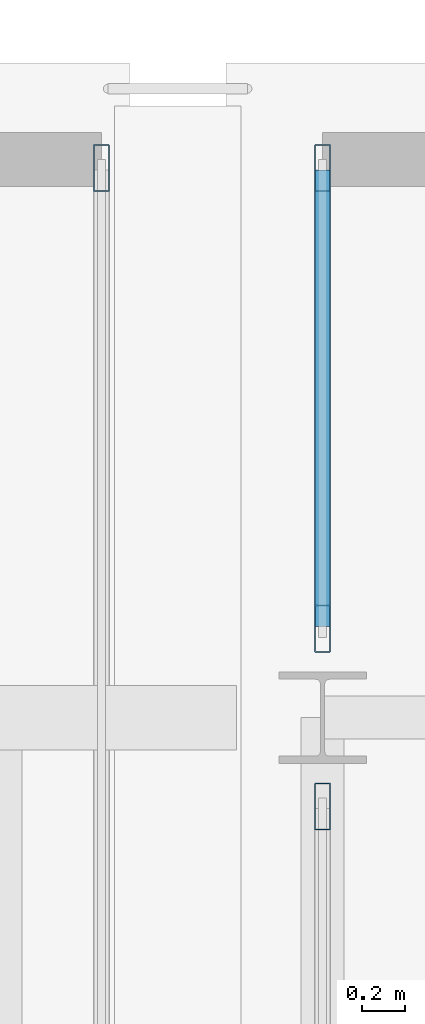
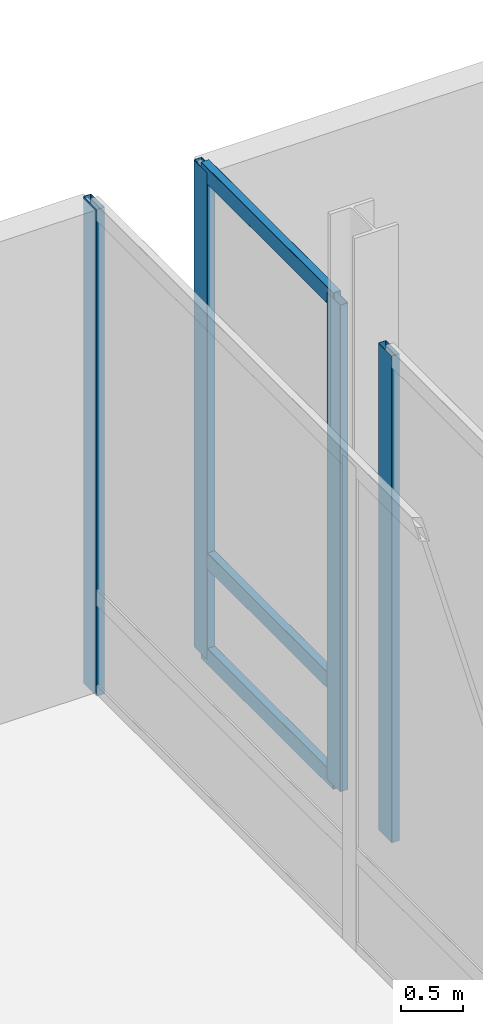
# One storey, part 20 of 36: 7 members, 3 elements without a shape of their own.
"""IFC4 building model written with IfcOpenShell, lengths in metres."""

from ifc_helpers import new_model, si_unit, direction, frame, origin, origin_2d, place, context, subcontext, project, spatial, hollow_rectangle, extrude, material, material_profile, profile_set, type_object, element, aggregate, save


model = new_model("IFC4")

# Units and contexts
model_context = context("Model", 3, precision=1e-05, world=origin(), true_north=direction((0.0, 1.0)))
body_context = subcontext(model_context, "Body", "Model", "MODEL_VIEW")
ifc_project = project(units=[si_unit("LENGTHUNIT", "METRE"), si_unit("AREAUNIT", "SQUARE_METRE"), si_unit("VOLUMEUNIT", "CUBIC_METRE"), si_unit("PLANEANGLEUNIT", "RADIAN"), si_unit("MASSUNIT", "GRAM", prefix="KILO")], contexts=[model_context])

# Site, building, storey
site_placement = place(None, origin())
site = spatial("IfcSite", under=ifc_project, at=site_placement, CompositionType="ELEMENT")
building_placement = place(site_placement, origin())
building = spatial("IfcBuilding", under=site, at=building_placement, Name="Noeulbin Bourse Tower", CompositionType="ELEMENT")
storey_placement = place(building_placement, origin())
storey = spatial("IfcBuildingStorey", under=building, at=storey_placement, Name="L01", CompositionType="ELEMENT", Elevation=0.0)

# Curtain wall, member
ifc_material_1 = material(Name="Laminated Clear Low-E Glass", Category="glass")
curtain_wall_type = type_object("IfcCurtainWallType", Name="CW-SYS-1", PredefinedType="NOTDEFINED", material=ifc_material_1)
curtain_wall_1_placement = place(storey_placement, origin())
curtain_wall_1 = element("IfcCurtainWall", 1, at=curtain_wall_1_placement, inside=storey, type_object=curtain_wall_type, Name="Unitised Curtain Wall CW-L01-GAL-W", PredefinedType="NOTDEFINED")
ifc_material_2 = material(Name="Anodised Aluminium 6063-T6", Category="aluminium")
ifc_material_profile_1 = material_profile(ifc_material_2, hollow_rectangle(XDim=0.074951171875, YDim=0.219970703125, WallThickness=0.0048828125, InnerFilletRadius=0.00244140625, OuterFilletRadius=0.0048828125, at=origin_2d()), Name="ALU-MULL-75x220x5", Category="LoadBearing")
ifc_profile_set_1 = profile_set([ifc_material_profile_1], Name="Anodised Aluminium 6063-T6")
member_type_1 = type_object("IfcMemberType", Name="CW-SYS-1-MUL", PredefinedType="MULLION", material=ifc_profile_set_1)
member_1_placement = place(storey_placement, frame((59.419921875, 51.110107421875, -0.02001953125), z_axis=(0.0, 0.0, 1.0), x_axis=(1.0, 0.0, 0.0)))
member_1 = element("IfcMember", 2, at=member_1_placement, type_object=member_type_1, Name="Curtain Wall Mullion CW-L01-GAL-W-M12", PredefinedType="MULLION", context=body_context, shape_type="SweptSolid", body=[
    extrude(hollow_rectangle(XDim=0.074951171875, YDim=0.219970703125, WallThickness=0.0048828125, InnerFilletRadius=0.00244140625, OuterFilletRadius=0.0048828125, at=origin_2d()), origin(), (0.0, 0.0, 1.0), 4.7900390625),
])
aggregate(curtain_wall_1, [member_1])

curtain_wall_2_placement = place(storey_placement, origin())
curtain_wall_2 = element("IfcCurtainWall", 3, at=curtain_wall_2_placement, inside=storey, type_object=curtain_wall_type, Name="Unitised Curtain Wall CW-L01-GAL-E-S6", PredefinedType="NOTDEFINED")
member_2_placement = place(storey_placement, frame((60.449951171875, 48.135986328125, -0.02001953125), z_axis=(0.0, 0.0, 1.0), x_axis=(1.0, 0.0, 0.0)))
member_2 = element("IfcMember", 4, at=member_2_placement, type_object=member_type_1, Name="Curtain Wall Mullion CW-L01-GAL-E-S6-M02", PredefinedType="MULLION", context=body_context, shape_type="SweptSolid", body=[
    extrude(hollow_rectangle(XDim=0.074951171875, YDim=0.219970703125, WallThickness=0.0048828125, InnerFilletRadius=0.00244140625, OuterFilletRadius=0.0048828125, at=origin_2d()), origin(), (0.0, 0.0, 1.0), 4.7900390625),
])
aggregate(curtain_wall_2, [member_2])

# Curtain wall, members
curtain_wall_3_placement = place(storey_placement, origin())
curtain_wall_3 = element("IfcCurtainWall", 5, at=curtain_wall_3_placement, inside=storey, type_object=curtain_wall_type, Name="Unitised Curtain Wall CW-L01-GAL-E-S7", PredefinedType="NOTDEFINED")
member_3_placement = place(storey_placement, frame((60.449951171875, 48.964111328125, -0.02001953125), z_axis=(0.0, 0.0, 1.0), x_axis=(1.0, 0.0, 0.0)))
member_3 = element("IfcMember", 6, at=member_3_placement, type_object=member_type_1, Name="Curtain Wall Mullion CW-L01-GAL-E-S7-M00", PredefinedType="MULLION", context=body_context, shape_type="SweptSolid", body=[
    extrude(hollow_rectangle(XDim=0.074951171875, YDim=0.219970703125, WallThickness=0.0048828125, InnerFilletRadius=0.00244140625, OuterFilletRadius=0.0048828125, at=origin_2d()), origin(), (0.0, 0.0, 1.0), 4.7900390625),
])
member_4_placement = place(storey_placement, frame((60.449951171875, 51.110107421875, -0.02001953125), z_axis=(0.0, 0.0, 1.0), x_axis=(1.0, 0.0, 0.0)))
member_4 = element("IfcMember", 7, at=member_4_placement, type_object=member_type_1, Name="Curtain Wall Mullion CW-L01-GAL-E-S7-M01", PredefinedType="MULLION", context=body_context, shape_type="SweptSolid", body=[
    extrude(hollow_rectangle(XDim=0.074951171875, YDim=0.219970703125, WallThickness=0.0048828125, InnerFilletRadius=0.00244140625, OuterFilletRadius=0.0048828125, at=origin_2d()), origin(), (0.0, 0.0, 1.0), 4.7900390625),
])
ifc_material_profile_2 = material_profile(ifc_material_2, hollow_rectangle(XDim=0.074951171875, YDim=0.159912109375, WallThickness=0.0048828125, InnerFilletRadius=0.00244140625, OuterFilletRadius=0.0048828125, at=origin_2d()), Name="ALU-TRAN-75x160x5", Category="LoadBearing")
ifc_profile_set_2 = profile_set([ifc_material_profile_2], Name="Anodised Aluminium 6063-T6")
member_type_2 = type_object("IfcMemberType", Name="CW-SYS-1-TRN", PredefinedType="USERDEFINED", material=ifc_profile_set_2)
member_5_placement = place(storey_placement, frame((60.449951171875, 48.97412109375, 0.010009765625), z_axis=(0.0, 1.0, 0.0), x_axis=(-1.0, 0.0, 0.0)))
member_5 = element("IfcMember", 8, at=member_5_placement, type_object=member_type_2, Name="Curtain Wall Transom CW-L01-GAL-E-S7-T00", ObjectType="TRANSOM", PredefinedType="USERDEFINED", context=body_context, shape_type="SweptSolid", body=[
    extrude(hollow_rectangle(XDim=0.074951171875, YDim=0.159912109375, WallThickness=0.0048828125, InnerFilletRadius=0.00244140625, OuterFilletRadius=0.0048828125, at=origin_2d()), origin(), (0.0, 0.0, 1.0), 2.1259765625),
])
member_6_placement = place(storey_placement, frame((60.449951171875, 48.97412109375, 0.949951171875), z_axis=(0.0, 1.0, 0.0), x_axis=(-1.0, 0.0, 0.0)))
member_6 = element("IfcMember", 9, at=member_6_placement, type_object=member_type_2, Name="Curtain Wall Transom CW-L01-GAL-E-S7-T01", ObjectType="TRANSOM", PredefinedType="USERDEFINED", context=body_context, shape_type="SweptSolid", body=[
    extrude(hollow_rectangle(XDim=0.074951171875, YDim=0.159912109375, WallThickness=0.0048828125, InnerFilletRadius=0.00244140625, OuterFilletRadius=0.0048828125, at=origin_2d()), origin(), (0.0, 0.0, 1.0), 2.1259765625),
])
member_7_placement = place(storey_placement, frame((60.449951171875, 48.97412109375, 4.739990234375), z_axis=(0.0, 1.0, 0.0), x_axis=(-1.0, 0.0, 0.0)))
member_7 = element("IfcMember", 10, at=member_7_placement, type_object=member_type_2, Name="Curtain Wall Transom CW-L01-GAL-E-S7-T02", ObjectType="TRANSOM", PredefinedType="USERDEFINED", context=body_context, shape_type="SweptSolid", body=[
    extrude(hollow_rectangle(XDim=0.074951171875, YDim=0.159912109375, WallThickness=0.0048828125, InnerFilletRadius=0.00244140625, OuterFilletRadius=0.0048828125, at=origin_2d()), origin(), (0.0, 0.0, 1.0), 2.1259765625),
])
aggregate(curtain_wall_3, [member_3, member_4, member_5, member_6, member_7])

save(model, "model.ifc")
